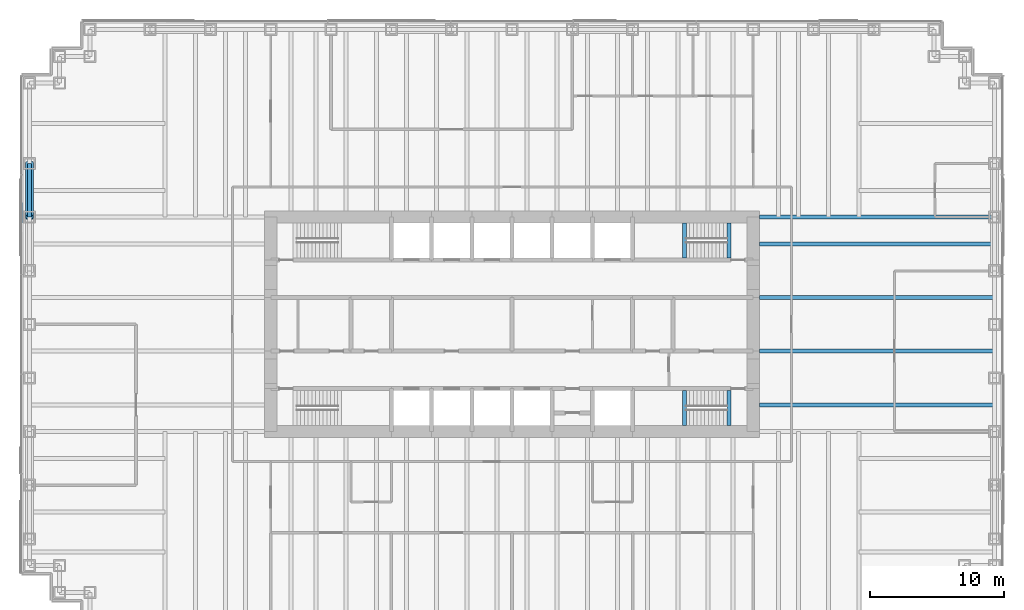
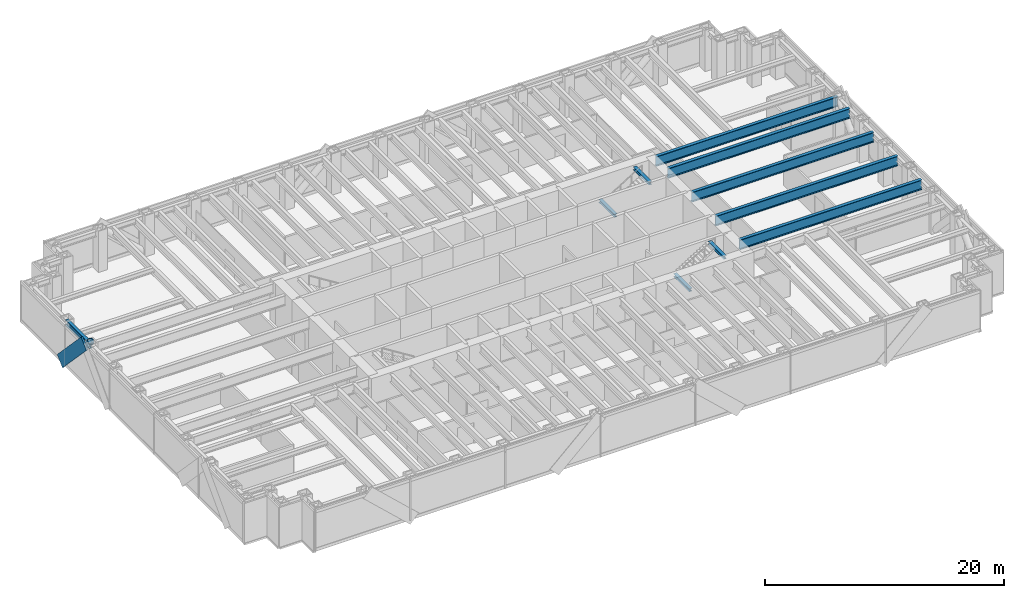
# One storey, part 5 of 15: 10 beams, 2 members, 1 element without a shape of its own.
"""IFC4 building model written with IfcOpenShell, lengths in metres."""

from ifc_helpers import new_model, si_unit, direction, frame, origin, origin_2d, place, context, subcontext, project, spatial, rectangle, hollow_circle, i_section, extrude, material, material_profile, profile_set, type_object, element, aggregate, save


model = new_model("IFC4")

# Units and contexts
model_context = context("Model", 3, precision=1e-05, world=origin(), true_north=direction((0.0, 1.0)))
body_context = subcontext(model_context, "Body", "Model", "MODEL_VIEW")
ifc_project = project(units=[si_unit("LENGTHUNIT", "METRE"), si_unit("AREAUNIT", "SQUARE_METRE"), si_unit("VOLUMEUNIT", "CUBIC_METRE"), si_unit("PLANEANGLEUNIT", "RADIAN"), si_unit("MASSUNIT", "GRAM", prefix="KILO")], contexts=[model_context])

# Site, building, storey
site_placement = place(None, origin())
site = spatial("IfcSite", under=ifc_project, at=site_placement, CompositionType="ELEMENT")
building_placement = place(site_placement, origin())
building = spatial("IfcBuilding", under=site, at=building_placement, Name="Rheinbord Bourse Tower", CompositionType="ELEMENT")
storey_placement = place(building_placement, frame((0.0, 0.0, 146.699951171875)))
storey = spatial("IfcBuildingStorey", under=building, at=storey_placement, Name="L32", CompositionType="ELEMENT", Elevation=146.699951171875)

# Curtain wall, member
ifc_material_1 = material(Name="Dark glass and black aluminium", Category="aluminium")
curtain_wall_type = type_object("IfcCurtainWallType", Name="CW2 DARK GLASS CURTAIN WALL", PredefinedType="USERDEFINED", material=ifc_material_1)
curtain_wall_placement = place(storey_placement, origin())
curtain_wall = element("IfcCurtainWall", 1, at=curtain_wall_placement, inside=storey, type_object=curtain_wall_type, Name="Curtain wall CW2 W L32", ObjectType="UNITISED CURTAIN WALL", PredefinedType="USERDEFINED")
ifc_material_2 = material(Name="Black anodised aluminium", Category="aluminium")
ifc_material_profile_1 = material_profile(ifc_material_2, rectangle(XDim=0.159912109375, YDim=1.2099609375, at=origin_2d()), Name="CW2 DIAGONAL MULLION 1210x160")
ifc_profile_set_1 = profile_set([ifc_material_profile_1], Name="Black anodised aluminium")
member_type_1 = type_object("IfcMemberType", Name="CW2 BLACK DIAGONAL MULLION", PredefinedType="USERDEFINED", material=ifc_profile_set_1)
member_1_placement = place(storey_placement, frame((-0.60009765625, 36.0, 0.0), z_axis=(0.0, -0.689659376744, 0.724133926887), x_axis=(1.0, 0.0, 0.0)))
member_1 = element("IfcMember", 2, at=member_1_placement, type_object=member_type_1, Name="CW2 diagonal mullion d", ObjectType="DIAGONAL MULLION", PredefinedType="USERDEFINED", context=body_context, shape_type="SweptSolid", body=[
    extrude(rectangle(XDim=0.159912109375, YDim=1.2099609375, at=origin_2d()), origin(), (0.0, 0.0, 1.0), 5.800048828125),
])
aggregate(curtain_wall, [member_1])

# Beams
ifc_material_3 = material(Name="Steel S460", Category="steel")
ifc_material_profile_2 = material_profile(ifc_material_3, i_section(OverallWidth=0.302001953125, OverallDepth=1.008056640625, WebThickness=0.02099609375, FlangeThickness=0.0400390625, at=origin_2d()), Name="HEM 1000")
ifc_profile_set_2 = profile_set([ifc_material_profile_2], Name="Steel S460")
beam_type_1 = type_object("IfcBeamType", Name="END BEAM HEM 1000", PredefinedType="BEAM", material=ifc_profile_set_2)
for number, where, z_axis, x_axis, name in (
    (3, (54.449951171875, 18.0, 3.5361328125), (1.0, 0.0, 0.0), (0.0, 1.0, 0.0), "End beam east 18 L33"),
    (4, (54.449951171875, 22.0, 3.5361328125), (1.0, 0.0, 0.0), (0.0, 1.0, 0.0), "End beam east 22 L33"),
    (5, (54.449951171875, 26.0, 3.5361328125), (1.0, 0.0, 0.0), (0.0, 1.0, 0.0), "End beam east 26 L33"),
    (6, (54.449951171875, 30.0, 3.5361328125), (1.0, 0.0, 0.0), (0.0, 1.0, 0.0), "End beam east 30 L33"),
):
    element("IfcBeam", number, at=place(storey_placement, frame(where, z_axis=z_axis, x_axis=x_axis)), inside=storey, type_object=beam_type_1, Name=name, PredefinedType="BEAM", context=body_context, shape_type="SweptSolid", body=[
        extrude(i_section(OverallWidth=0.302001953125, OverallDepth=1.008056640625, WebThickness=0.02099609375, FlangeThickness=0.0400390625, at=origin_2d()), origin(), (0.0, 0.0, 1.0), 17.550048828125),
    ])
ifc_material_4 = material(Name="Steel S460", Category="steel")
ifc_material_profile_3 = material_profile(ifc_material_4, i_section(OverallWidth=0.302001953125, OverallDepth=1.008056640625, WebThickness=0.02099609375, FlangeThickness=0.0400390625, at=origin_2d()), Name="HEM 1000")
ifc_profile_set_3 = profile_set([ifc_material_profile_3], Name="Steel S460")
beam_type_2 = type_object("IfcBeamType", Name="GIRDER HEM 1000", PredefinedType="BEAM", material=ifc_profile_set_3)
beam_1_placement = place(storey_placement, frame((54.449951171875, 32.0, 3.5361328125), z_axis=(1.0, 0.0, 0.0), x_axis=(0.0, 1.0, 0.0)))
element("IfcBeam", 7, at=beam_1_placement, inside=storey, type_object=beam_type_2, Name="Girder east 32 L33", PredefinedType="BEAM", context=body_context, shape_type="SweptSolid", body=[
    extrude(i_section(OverallWidth=0.302001953125, OverallDepth=1.008056640625, WebThickness=0.02099609375, FlangeThickness=0.0400390625, at=origin_2d()), origin(), (0.0, 0.0, 1.0), 17.550048828125),
])
ifc_material_5 = material(Name="Steel S460", Category="steel")
ifc_material_profile_4 = material_profile(ifc_material_5, i_section(OverallWidth=0.300048828125, OverallDepth=0.300048828125, WebThickness=0.010986328125, FlangeThickness=0.01904296875, at=origin_2d()), Name="HEB 300")
ifc_profile_set_4 = profile_set([ifc_material_profile_4], Name="Steel S460")
beam_type_3 = type_object("IfcBeamType", Name="LANDING TRIMMER HEB 300", PredefinedType="BEAM", material=ifc_profile_set_4)
for number, where, z_axis, x_axis, name in (
    (8, (48.8701171875, 16.449951171875, 1.75), (0.0, 1.0, 0.0), (-1.0, 0.0, 0.0), "Landing trimmer ST3 L32"),
    (9, (52.199951171875, 16.449951171875, 3.89013671875), (0.0, 1.0, 0.0), (-1.0, 0.0, 0.0), "Well trimmer ST3 under L33"),
    (10, (48.8701171875, 28.949951171875, 1.75), (0.0, 1.0, 0.0), (-1.0, 0.0, 0.0), "Landing trimmer ST4 L32"),
    (11, (52.199951171875, 28.949951171875, 3.89013671875), (0.0, 1.0, 0.0), (-1.0, 0.0, 0.0), "Well trimmer ST4 under L33"),
):
    element("IfcBeam", number, at=place(storey_placement, frame(where, z_axis=z_axis, x_axis=x_axis)), inside=storey, type_object=beam_type_3, Name=name, PredefinedType="BEAM", context=body_context, shape_type="SweptSolid", body=[
        extrude(i_section(OverallWidth=0.300048828125, OverallDepth=0.300048828125, WebThickness=0.010986328125, FlangeThickness=0.01904296875, at=origin_2d()), origin(), (0.0, 0.0, 1.0), 2.60009765625),
    ])

# Member
ifc_material_6 = material(Name="Steel S460", Category="steel")
ifc_material_profile_5 = material_profile(ifc_material_6, hollow_circle(Radius=0.304931640625, WallThickness=0.0400390625, at=origin_2d()), Name="CHS 610x40")
ifc_profile_set_5 = profile_set([ifc_material_profile_5], Name="Steel S460")
member_type_2 = type_object("IfcMemberType", Name="MEGABRACE CHS 610x40", PredefinedType="BRACE", material=ifc_profile_set_5)
member_2_placement = place(storey_placement, frame((0.0, 36.0, 0.0), z_axis=(0.0, -0.689659376744, 0.724133926887), x_axis=(1.0, 0.0, 0.0)))
element("IfcMember", 12, at=member_2_placement, inside=storey, type_object=member_type_2, Name="Megabrace W face line d L32", PredefinedType="BRACE", context=body_context, shape_type="SweptSolid", body=[
    extrude(hollow_circle(Radius=0.304931640625, WallThickness=0.0400390625, at=origin_2d()), origin(), (0.0, 0.0, 1.0), 5.800048828125),
])

# Beam
ifc_material_7 = material(Name="Steel S460", Category="steel")
ifc_material_profile_6 = material_profile(ifc_material_7, i_section(OverallWidth=0.305908203125, OverallDepth=0.572021484375, WebThickness=0.02099609375, FlangeThickness=0.0400390625, at=origin_2d()), Name="HEM 550")
ifc_profile_set_6 = profile_set([ifc_material_profile_6], Name="Steel S460")
beam_type_4 = type_object("IfcBeamType", Name="SPANDREL HEM 550", PredefinedType="SPANDREL", material=ifc_profile_set_6)
beam_2_placement = place(storey_placement, frame((0.0, 36.0, 3.754150390625), z_axis=(0.0, -1.0, 0.0), x_axis=(1.0, 0.0, 0.0)))
element("IfcBeam", 13, at=beam_2_placement, inside=storey, type_object=beam_type_4, Name="Spandrel W-36-W-32 under L33", PredefinedType="SPANDREL", context=body_context, shape_type="SweptSolid", body=[
    extrude(i_section(OverallWidth=0.305908203125, OverallDepth=0.572021484375, WebThickness=0.02099609375, FlangeThickness=0.0400390625, at=origin_2d()), origin(), (0.0, 0.0, 1.0), 4.0),
])

save(model, "model.ifc")
